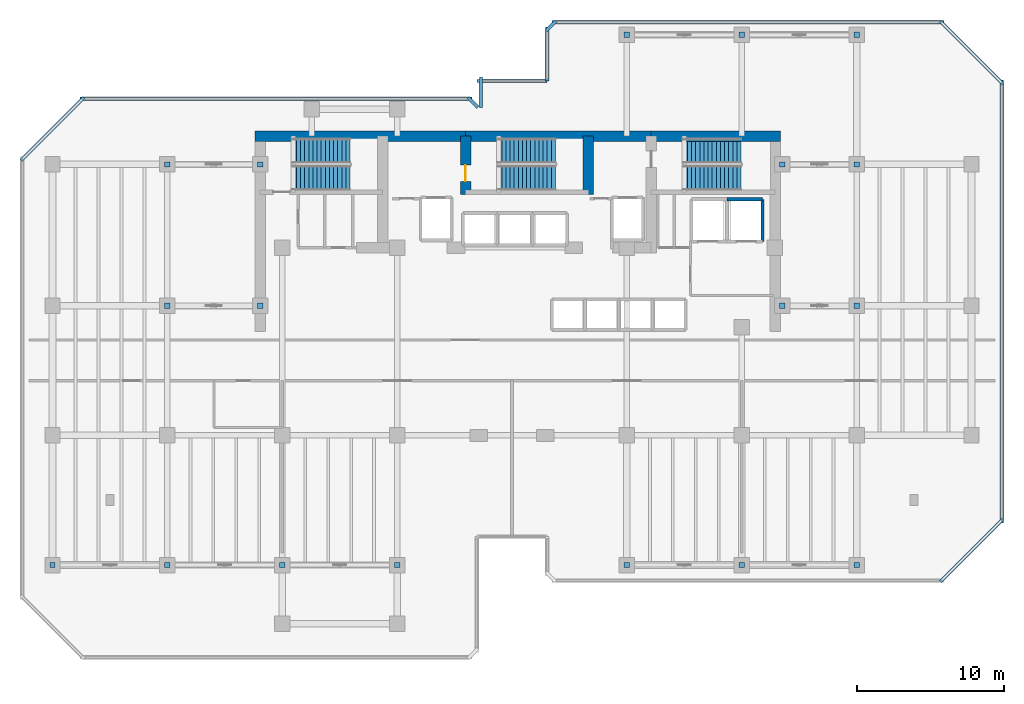
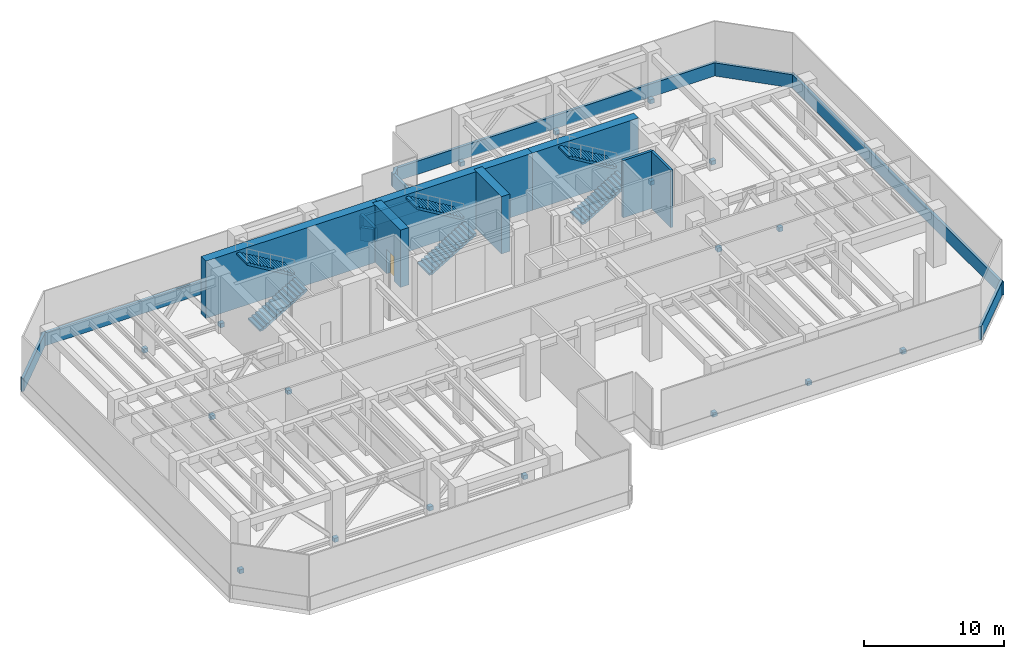
# One storey, part 6 of 10: 18 discrete accessories, 18 walls, 6 stair flights, 1 door, 1 opening, 3 elements without a shape of their own.
"""IFC4 building model written with IfcOpenShell, lengths in metres."""

from ifc_helpers import new_model, si_unit, direction, frame, frame_2d, origin, origin_2d, place, context, subcontext, project, spatial, polyline, rectangle, outline, extrude, material, layer, layer_set, type_object, element, fill, aggregate, save


model = new_model("IFC4")

# Units and contexts
model_context = context("Model", 3, precision=1e-05, world=origin(), true_north=direction((0.0, 1.0)))
body_context = subcontext(model_context, "Body", "Model", "MODEL_VIEW")
ifc_project = project(units=[si_unit("LENGTHUNIT", "METRE"), si_unit("AREAUNIT", "SQUARE_METRE"), si_unit("VOLUMEUNIT", "CUBIC_METRE"), si_unit("PLANEANGLEUNIT", "RADIAN"), si_unit("MASSUNIT", "GRAM", prefix="KILO")], contexts=[model_context])

# Site, building, storey
site_placement = place(None, origin())
site = spatial("IfcSite", under=ifc_project, at=site_placement, CompositionType="ELEMENT")
building_placement = place(site_placement, origin())
building = spatial("IfcBuilding", under=site, at=building_placement, Name="Kestravale Grand Hotel", CompositionType="ELEMENT")
storey_placement = place(building_placement, frame((0.0, 0.0, 184.0)))
storey = spatial("IfcBuildingStorey", under=building, at=storey_placement, Name="L46", CompositionType="ELEMENT", Elevation=184.0)

# Walls
ifc_material_1 = material(Name="Concrete f'c 60 MPa", Category="concrete")
ifc_layer_1 = layer(ifc_material_1, 0.699951171875)
ifc_layer_set_1 = layer_set([ifc_layer_1], Name="EW-CORE-700")
wall_type_1 = type_object("IfcWallType", Name="EW-CORE-700", PredefinedType="SHEAR", material=ifc_layer_set_1)
wall_1_placement = place(storey_placement, frame((21.550048828125, 40.320068359375, 0.0), z_axis=(0.0, 0.0, 1.0), x_axis=(1.0, 0.0, 0.0)))
element("IfcWall", 1, at=wall_1_placement, inside=storey, type_object=wall_type_1, Name="L46 core shear wall N1", PredefinedType="SHEAR", context=body_context, shape_type="SweptSolid", body=[
    extrude(rectangle(XDim=14.300048828125, YDim=0.699951171875, at=frame_2d((7.14990234375, 0.0))), origin(), (0.0, 0.0, 1.0), 5.0),
])
wall_2_placement = place(storey_placement, frame((35.85009765625, 40.320068359375, 0.0), z_axis=(0.0, 0.0, 1.0), x_axis=(1.0, 0.0, 0.0)))
element("IfcWall", 2, at=wall_2_placement, inside=storey, type_object=wall_type_1, Name="L46 core shear wall N2", PredefinedType="SHEAR", context=body_context, shape_type="SweptSolid", body=[
    extrude(rectangle(XDim=12.599853515625, YDim=0.699951171875, at=frame_2d((6.2998046875, 0.0))), origin(), (0.0, 0.0, 1.0), 5.0),
])
wall_3_placement = place(storey_placement, frame((48.449951171875, 40.320068359375, 0.0), z_axis=(0.0, 0.0, 1.0), x_axis=(1.0, 0.0, 0.0)))
element("IfcWall", 3, at=wall_3_placement, inside=storey, type_object=wall_type_1, Name="L46 core shear wall N3", PredefinedType="SHEAR", context=body_context, shape_type="SweptSolid", body=[
    extrude(rectangle(XDim=8.77001953125, YDim=0.699951171875, at=frame_2d((4.385009765625, 0.0))), origin(), (0.0, 0.0, 1.0), 5.0),
])

# Wall, opening, door
wall_4_placement = place(storey_placement, frame((35.85009765625, 36.3701171875, 0.0), z_axis=(0.0, 0.0, 1.0), x_axis=(0.0, 1.0, 0.0)))
wall_4 = element("IfcWall", 4, at=wall_4_placement, inside=storey, type_object=wall_type_1, Name="L46 core shear wall X2", PredefinedType="SHEAR", context=body_context, shape_type="SweptSolid", body=[
    extrude(rectangle(XDim=3.949951171875, YDim=0.699951171875, at=frame_2d((1.97509765625, 0.0))), origin(), (0.0, 0.0, 1.0), 5.0),
])
opening_placement = place(wall_4_placement, frame((0.8798828125, 0.0, 0.0)))
opening = element("IfcOpeningElement", 5, at=opening_placement, cuts=wall_4, Name="Opening D-ST-1100", PredefinedType="OPENING", context=body_context, shape_type="SweptSolid", body=[
    extrude(rectangle(XDim=1.10009765625, YDim=2.14990234375, at=frame_2d((0.550048828125, 1.074951171875))), frame((0.0, 0.35986328125, 0.0), z_axis=(0.0, -1.0, 0.0), x_axis=(1.0, 0.0, 0.0)), (0.0, 0.0, 1.0), 0.719970703125),
])
ifc_material_2 = material(Name="Galvanised 90-minute fire-rated steel stair door", Category="steel")
door_type = type_object("IfcDoorType", Name="D-ST-1100", OperationType="NOTDEFINED", PredefinedType="DOOR", material=ifc_material_2)
door_placement = place(opening_placement, origin())
door = element("IfcDoor", 6, at=door_placement, inside=storey, type_object=door_type, Name="L46 Stair ST-2 FSAE fire door", OperationType="SINGLE_SWING_RIGHT", OverallHeight=2.14990234375, OverallWidth=1.10009765625, PredefinedType="DOOR", context=body_context, shape_type="SweptSolid", body=[
    extrude(rectangle(XDim=1.10009765625, YDim=2.14990234375, at=frame_2d((0.550048828125, 1.074951171875))), frame((0.0, 0.02490234375, 0.0), z_axis=(0.0, -1.0, 0.0), x_axis=(1.0, 0.0, 0.0)), (0.0, 0.0, 1.0), 0.050048828125),
])
fill(opening, door)

# Walls
wall_5_placement = place(storey_placement, frame((44.179931640625, 36.3701171875, 0.0), z_axis=(0.0, 0.0, 1.0), x_axis=(0.0, 1.0, 0.0)))
element("IfcWall", 7, at=wall_5_placement, inside=storey, type_object=wall_type_1, Name="L46 core shear wall X3", PredefinedType="SHEAR", context=body_context, shape_type="SweptSolid", body=[
    extrude(rectangle(XDim=3.949951171875, YDim=0.699951171875, at=frame_2d((1.97509765625, 0.0))), origin(), (0.0, 0.0, 1.0), 5.0),
])
ifc_material_3 = material(Name="Precast concrete f'c 45 MPa", Category="concrete")
ifc_layer_2 = layer(ifc_material_3, 0.219970703125)
ifc_layer_set_2 = layer_set([ifc_layer_2], Name="EW-PAR-220")
wall_type_2 = type_object("IfcWallType", Name="EW-PAR-220", PredefinedType="PARAPET", material=ifc_layer_set_2)
wall_6_placement = place(storey_placement, frame((68.07275390625, 10.07080078125, 0.0), z_axis=(0.0, 0.0, 1.0), x_axis=(0.707106781187, 0.707106781187, 0.0)))
element("IfcWall", 8, at=wall_6_placement, inside=storey, type_object=wall_type_2, Name="L46 refuge band parapet wall 8", PredefinedType="PARAPET", context=body_context, shape_type="SweptSolid", body=[
    extrude(rectangle(XDim=6.019775390625, YDim=0.219970703125, at=frame_2d((3.009765625, 0.0))), origin(), (0.0, 0.0, 1.0), 1.14990234375),
])
wall_7_placement = place(storey_placement, frame((72.260009765625, 14.06005859375, 0.0), z_axis=(0.0, 0.0, 1.0), x_axis=(0.0, 1.0, 0.0)))
element("IfcWall", 9, at=wall_7_placement, inside=storey, type_object=wall_type_2, Name="L46 refuge band parapet wall 9", PredefinedType="PARAPET", context=body_context, shape_type="SweptSolid", body=[
    extrude(rectangle(XDim=30.079833984375, YDim=0.219970703125, at=frame_2d((15.0400390625, 0.0))), origin(), (0.0, 0.0, 1.0), 1.14990234375),
])
wall_8_placement = place(storey_placement, frame((72.329345703125, 43.872802734375, 0.0), z_axis=(0.0, 0.0, 1.0), x_axis=(-0.707106781187, 0.707106781187, 0.0)))
element("IfcWall", 10, at=wall_8_placement, inside=storey, type_object=wall_type_2, Name="L46 refuge band parapet wall 10", PredefinedType="PARAPET", context=body_context, shape_type="SweptSolid", body=[
    extrude(rectangle(XDim=6.019775390625, YDim=0.219970703125, at=frame_2d((3.009765625, 0.0))), origin(), (0.0, 0.0, 1.0), 1.14990234375),
])
wall_9_placement = place(storey_placement, frame((68.340087890625, 48.06005859375, 0.0), z_axis=(0.0, 0.0, 1.0), x_axis=(-1.0, 0.0, 0.0)))
element("IfcWall", 11, at=wall_9_placement, inside=storey, type_object=wall_type_2, Name="L46 refuge band parapet wall 11", PredefinedType="PARAPET", context=body_context, shape_type="SweptSolid", body=[
    extrude(rectangle(XDim=26.630126953125, YDim=0.219970703125, at=frame_2d((13.31494140625, 0.0))), origin(), (0.0, 0.0, 1.0), 1.14990234375),
])
wall_10_placement = place(storey_placement, frame((41.977294921875, 48.12939453125, 0.0), z_axis=(0.0, 0.0, 1.0), x_axis=(-0.706975312048, -0.707238225886, 0.0)))
element("IfcWall", 12, at=wall_10_placement, inside=storey, type_object=wall_type_2, Name="L46 refuge band parapet wall 12", PredefinedType="PARAPET", context=body_context, shape_type="SweptSolid", body=[
    extrude(rectangle(XDim=0.9287109375, YDim=0.219970703125, at=frame_2d((0.46435546875, 0.0))), origin(), (0.0, 0.0, 1.0), 1.14990234375),
])
wall_11_placement = place(storey_placement, frame((41.389892578125, 47.739990234375, 0.0), z_axis=(0.0, 0.0, 1.0), x_axis=(0.0, -1.0, 0.0)))
element("IfcWall", 13, at=wall_11_placement, inside=storey, type_object=wall_type_2, Name="L46 refuge band parapet wall 13", PredefinedType="PARAPET", context=body_context, shape_type="SweptSolid", body=[
    extrude(rectangle(XDim=3.679931640625, YDim=0.219970703125, at=frame_2d((1.83984375, 0.0))), origin(), (0.0, 0.0, 1.0), 1.14990234375),
])
wall_12_placement = place(storey_placement, frame((41.389892578125, 44.06005859375, 0.0), z_axis=(0.0, 0.0, 1.0), x_axis=(-1.0, 0.0, 0.0)))
element("IfcWall", 14, at=wall_12_placement, inside=storey, type_object=wall_type_2, Name="L46 refuge band parapet wall 14", PredefinedType="PARAPET", context=body_context, shape_type="SweptSolid", body=[
    extrude(rectangle(XDim=4.77978515625, YDim=0.219970703125, at=frame_2d((2.389892578125, 0.0))), origin(), (0.0, 0.0, 1.0), 1.14990234375),
])
wall_13_placement = place(storey_placement, frame((36.889892578125, 44.340087890625, 0.0), z_axis=(0.0, 0.0, 1.0), x_axis=(0.0, -1.0, 0.0)))
element("IfcWall", 15, at=wall_13_placement, inside=storey, type_object=wall_type_2, Name="L46 refuge band parapet wall 15", PredefinedType="PARAPET", context=body_context, shape_type="SweptSolid", body=[
    extrude(rectangle(XDim=2.080078125, YDim=0.219970703125, at=frame_2d((1.0400390625, 0.0))), origin(), (0.0, 0.0, 1.0), 1.14990234375),
])
wall_14_placement = place(storey_placement, frame((36.67919921875, 42.272705078125, 0.0), z_axis=(0.0, 0.0, 1.0), x_axis=(-0.707106781187, 0.707106781187, 0.0)))
element("IfcWall", 16, at=wall_14_placement, inside=storey, type_object=wall_type_2, Name="L46 refuge band parapet wall 16", PredefinedType="PARAPET", context=body_context, shape_type="SweptSolid", body=[
    extrude(rectangle(XDim=0.928466796875, YDim=0.219970703125, at=frame_2d((0.46435546875, 0.0))), origin(), (0.0, 0.0, 1.0), 1.14990234375),
])
wall_15_placement = place(storey_placement, frame((36.2900390625, 42.860107421875, 0.0), z_axis=(0.0, 0.0, 1.0), x_axis=(-1.0, 0.0, 0.0)))
element("IfcWall", 17, at=wall_15_placement, inside=storey, type_object=wall_type_2, Name="L46 refuge band parapet wall 17", PredefinedType="PARAPET", context=body_context, shape_type="SweptSolid", body=[
    extrude(rectangle(XDim=26.630126953125, YDim=0.219970703125, at=frame_2d((13.31494140625, 0.0))), origin(), (0.0, 0.0, 1.0), 1.14990234375),
])
wall_16_placement = place(storey_placement, frame((9.92724609375, 42.92919921875, 0.0), z_axis=(0.0, 0.0, 1.0), x_axis=(-0.707106781187, -0.707106781187, 0.0)))
element("IfcWall", 18, at=wall_16_placement, inside=storey, type_object=wall_type_2, Name="L46 refuge band parapet wall 18", PredefinedType="PARAPET", context=body_context, shape_type="SweptSolid", body=[
    extrude(rectangle(XDim=6.019775390625, YDim=0.219970703125, at=frame_2d((3.009765625, 0.0))), origin(), (0.0, 0.0, 1.0), 1.14990234375),
])
ifc_material_4 = material(Name="Concrete f'c 45 MPa", Category="concrete")
ifc_layer_3 = layer(ifc_material_4, 0.199951171875)
ifc_layer_set_3 = layer_set([ifc_layer_3], Name="IW-SHAFT-200")
wall_type_3 = type_object("IfcWallType", Name="IW-SHAFT-200", PredefinedType="SHEAR", material=ifc_layer_set_3)
wall_17_placement = place(storey_placement, frame((56.02001953125, 33.169921875, 0.0), z_axis=(0.0, 0.0, 1.0), x_axis=(0.0, 1.0, 0.0)))
element("IfcWall", 19, at=wall_17_placement, inside=storey, type_object=wall_type_3, Name="L46 SL-2 east shaft wall", PredefinedType="SHEAR", context=body_context, shape_type="SweptSolid", body=[
    extrude(rectangle(XDim=2.860107421875, YDim=0.199951171875, at=frame_2d((1.43017578125, 0.0))), origin(), (0.0, 0.0, 1.0), 5.0),
])
ifc_material_5 = material(Name="Concrete f'c 45 MPa", Category="concrete")
ifc_layer_4 = layer(ifc_material_5, 0.219970703125)
ifc_layer_set_4 = layer_set([ifc_layer_4], Name="IW-SHAFT-220")
wall_type_4 = type_object("IfcWallType", Name="IW-SHAFT-220", PredefinedType="SHEAR", material=ifc_layer_set_4)
wall_18_placement = place(storey_placement, frame((53.60009765625, 36.030029296875, 0.0), z_axis=(0.0, 0.0, 1.0), x_axis=(1.0, 0.0, 0.0)))
element("IfcWall", 20, at=wall_18_placement, inside=storey, type_object=wall_type_4, Name="L46 SL-2 north shaft wall", PredefinedType="SHEAR", context=body_context, shape_type="SweptSolid", body=[
    extrude(rectangle(XDim=2.419921875, YDim=0.219970703125, at=frame_2d((1.2099609375, 0.0))), origin(), (0.0, 0.0, 1.0), 5.0),
])

# Stair, stair flights
ifc_material_6 = material(Name="Concrete f'c 45 MPa", Category="concrete")
stair_type = type_object("IfcStairType", Name="ST-CORE-500", PredefinedType="HALF_TURN_STAIR", material=ifc_material_6)
stair_1_placement = place(storey_placement, origin())
stair_1 = element("IfcStair", 21, at=stair_1_placement, inside=storey, type_object=stair_type, Name="L46 ST-1", PredefinedType="HALF_TURN_STAIR")
ifc_material_7 = material(Name="Concrete f'c 45 MPa", Category="concrete")
stair_flight_type = type_object("IfcStairFlightType", Name="STF-CORE-500", PredefinedType="STRAIGHT", material=ifc_material_7)
stair_flight_1_placement = place(storey_placement, frame((24.080078125, 37.489990234375, 0.0), z_axis=(0.0, 0.0, 1.0), x_axis=(1.0, 0.0, 0.0)))
stair_flight_1 = element("IfcStairFlight", 22, at=stair_flight_1_placement, type_object=stair_flight_type, Name="ST-1 flight 1", NumberOfRisers=15, NumberOfTreads=14, PredefinedType="STRAIGHT", RiserHeight=0.166666667, TreadLength=0.28, context=body_context, shape_type="SweptSolid", body=[
    extrude(outline(polyline([(0.0, 0.0), (0.0, 0.166748046875), (0.280029296875, 0.166748046875), (0.280029296875, 0.333251953125), (0.56005859375, 0.333251953125), (0.56005859375, 0.5), (0.840087890625, 0.5), (0.840087890625, 0.666748046875), (1.1201171875, 0.666748046875), (1.1201171875, 0.833251953125), (1.39990234375, 0.833251953125), (1.39990234375, 1.0), (1.679931640625, 1.0), (1.679931640625, 1.166748046875), (1.9599609375, 1.166748046875), (1.9599609375, 1.333251953125), (2.239990234375, 1.333251953125), (2.239990234375, 1.5), (2.52001953125, 1.5), (2.52001953125, 1.666748046875), (2.800048828125, 1.666748046875), (2.800048828125, 1.833251953125), (3.080078125, 1.833251953125), (3.080078125, 2.0), (3.360107421875, 2.0), (3.360107421875, 2.166748046875), (3.639892578125, 2.166748046875), (3.639892578125, 2.333251953125), (3.919921875, 2.333251953125), (3.919921875, 2.5), (3.919921875, 2.158935546875), (0.29296875, 0.0), (0.0, 0.0)])), frame((0.0, 0.83984375, 0.0), z_axis=(0.0, -1.0, 0.0), x_axis=(1.0, 0.0, 0.0)), (0.0, 0.0, 1.0), 1.679931640625),
])
stair_flight_2_placement = place(storey_placement, frame((28.0, 39.320068359375, 2.5), z_axis=(0.0, 0.0, 1.0), x_axis=(-1.0, 0.0, 0.0)))
stair_flight_2 = element("IfcStairFlight", 23, at=stair_flight_2_placement, type_object=stair_flight_type, Name="ST-1 flight 2", NumberOfRisers=15, NumberOfTreads=14, PredefinedType="STRAIGHT", RiserHeight=0.166666667, TreadLength=0.28, context=body_context, shape_type="SweptSolid", body=[
    extrude(outline(polyline([(0.0, 0.0), (0.0, 0.166748046875), (0.280029296875, 0.166748046875), (0.280029296875, 0.333251953125), (0.56005859375, 0.333251953125), (0.56005859375, 0.5), (0.840087890625, 0.5), (0.840087890625, 0.666748046875), (1.1201171875, 0.666748046875), (1.1201171875, 0.833251953125), (1.39990234375, 0.833251953125), (1.39990234375, 1.0), (1.679931640625, 1.0), (1.679931640625, 1.166748046875), (1.9599609375, 1.166748046875), (1.9599609375, 1.333251953125), (2.239990234375, 1.333251953125), (2.239990234375, 1.5), (2.52001953125, 1.5), (2.52001953125, 1.666748046875), (2.800048828125, 1.666748046875), (2.800048828125, 1.833251953125), (3.080078125, 1.833251953125), (3.080078125, 2.0), (3.360107421875, 2.0), (3.360107421875, 2.166748046875), (3.639892578125, 2.166748046875), (3.639892578125, 2.333251953125), (3.919921875, 2.333251953125), (3.919921875, 2.5), (3.919921875, 2.158935546875), (0.29296875, 0.0), (0.0, 0.0)])), frame((0.0, 0.83984375, 0.0), z_axis=(0.0, -1.0, 0.0), x_axis=(1.0, 0.0, 0.0)), (0.0, 0.0, 1.0), 1.679931640625),
])
aggregate(stair_1, [stair_flight_1, stair_flight_2])

stair_2_placement = place(storey_placement, origin())
stair_2 = element("IfcStair", 24, at=stair_2_placement, inside=storey, type_object=stair_type, Name="L46 ST-2", PredefinedType="HALF_TURN_STAIR")
stair_flight_3_placement = place(storey_placement, frame((38.030029296875, 37.489990234375, 0.0), z_axis=(0.0, 0.0, 1.0), x_axis=(1.0, 0.0, 0.0)))
stair_flight_3 = element("IfcStairFlight", 25, at=stair_flight_3_placement, type_object=stair_flight_type, Name="ST-2 flight 1", NumberOfRisers=15, NumberOfTreads=14, PredefinedType="STRAIGHT", RiserHeight=0.166666667, TreadLength=0.28, context=body_context, shape_type="SweptSolid", body=[
    extrude(outline(polyline([(0.0, 0.0), (0.0, 0.166748046875), (0.280029296875, 0.166748046875), (0.280029296875, 0.333251953125), (0.56005859375, 0.333251953125), (0.56005859375, 0.5), (0.840087890625, 0.5), (0.840087890625, 0.666748046875), (1.1201171875, 0.666748046875), (1.1201171875, 0.833251953125), (1.39990234375, 0.833251953125), (1.39990234375, 1.0), (1.679931640625, 1.0), (1.679931640625, 1.166748046875), (1.9599609375, 1.166748046875), (1.9599609375, 1.333251953125), (2.239990234375, 1.333251953125), (2.239990234375, 1.5), (2.52001953125, 1.5), (2.52001953125, 1.666748046875), (2.800048828125, 1.666748046875), (2.800048828125, 1.833251953125), (3.080078125, 1.833251953125), (3.080078125, 2.0), (3.360107421875, 2.0), (3.360107421875, 2.166748046875), (3.639892578125, 2.166748046875), (3.639892578125, 2.333251953125), (3.919921875, 2.333251953125), (3.919921875, 2.5), (3.919921875, 2.158935546875), (0.29296875, 0.0), (0.0, 0.0)])), frame((0.0, 0.83984375, 0.0), z_axis=(0.0, -1.0, 0.0), x_axis=(1.0, 0.0, 0.0)), (0.0, 0.0, 1.0), 1.679931640625),
])
stair_flight_4_placement = place(storey_placement, frame((41.949951171875, 39.320068359375, 2.5), z_axis=(0.0, 0.0, 1.0), x_axis=(-1.0, 0.0, 0.0)))
stair_flight_4 = element("IfcStairFlight", 26, at=stair_flight_4_placement, type_object=stair_flight_type, Name="ST-2 flight 2", NumberOfRisers=15, NumberOfTreads=14, PredefinedType="STRAIGHT", RiserHeight=0.166666667, TreadLength=0.28, context=body_context, shape_type="SweptSolid", body=[
    extrude(outline(polyline([(0.0, 0.0), (0.0, 0.166748046875), (0.280029296875, 0.166748046875), (0.280029296875, 0.333251953125), (0.56005859375, 0.333251953125), (0.56005859375, 0.5), (0.840087890625, 0.5), (0.840087890625, 0.666748046875), (1.1201171875, 0.666748046875), (1.1201171875, 0.833251953125), (1.39990234375, 0.833251953125), (1.39990234375, 1.0), (1.679931640625, 1.0), (1.679931640625, 1.166748046875), (1.9599609375, 1.166748046875), (1.9599609375, 1.333251953125), (2.239990234375, 1.333251953125), (2.239990234375, 1.5), (2.52001953125, 1.5), (2.52001953125, 1.666748046875), (2.800048828125, 1.666748046875), (2.800048828125, 1.833251953125), (3.080078125, 1.833251953125), (3.080078125, 2.0), (3.360107421875, 2.0), (3.360107421875, 2.166748046875), (3.639892578125, 2.166748046875), (3.639892578125, 2.333251953125), (3.919921875, 2.333251953125), (3.919921875, 2.5), (3.919921875, 2.158935546875), (0.29296875, 0.0), (0.0, 0.0)])), frame((0.0, 0.83984375, 0.0), z_axis=(0.0, -1.0, 0.0), x_axis=(1.0, 0.0, 0.0)), (0.0, 0.0, 1.0), 1.679931640625),
])
aggregate(stair_2, [stair_flight_3, stair_flight_4])

stair_3_placement = place(storey_placement, origin())
stair_3 = element("IfcStair", 27, at=stair_3_placement, inside=storey, type_object=stair_type, Name="L46 ST-3", PredefinedType="HALF_TURN_STAIR")
stair_flight_5_placement = place(storey_placement, frame((50.6298828125, 37.489990234375, 0.0), z_axis=(0.0, 0.0, 1.0), x_axis=(1.0, 0.0, 0.0)))
stair_flight_5 = element("IfcStairFlight", 28, at=stair_flight_5_placement, type_object=stair_flight_type, Name="ST-3 flight 1", NumberOfRisers=15, NumberOfTreads=14, PredefinedType="STRAIGHT", RiserHeight=0.166666667, TreadLength=0.28, context=body_context, shape_type="SweptSolid", body=[
    extrude(outline(polyline([(0.0, 0.0), (0.0, 0.166748046875), (0.280029296875, 0.166748046875), (0.280029296875, 0.333251953125), (0.56005859375, 0.333251953125), (0.56005859375, 0.5), (0.840087890625, 0.5), (0.840087890625, 0.666748046875), (1.1201171875, 0.666748046875), (1.1201171875, 0.833251953125), (1.39990234375, 0.833251953125), (1.39990234375, 1.0), (1.679931640625, 1.0), (1.679931640625, 1.166748046875), (1.9599609375, 1.166748046875), (1.9599609375, 1.333251953125), (2.239990234375, 1.333251953125), (2.239990234375, 1.5), (2.52001953125, 1.5), (2.52001953125, 1.666748046875), (2.800048828125, 1.666748046875), (2.800048828125, 1.833251953125), (3.080078125, 1.833251953125), (3.080078125, 2.0), (3.360107421875, 2.0), (3.360107421875, 2.166748046875), (3.639892578125, 2.166748046875), (3.639892578125, 2.333251953125), (3.919921875, 2.333251953125), (3.919921875, 2.5), (3.919921875, 2.158935546875), (0.29296875, 0.0), (0.0, 0.0)])), frame((0.0, 0.83984375, 0.0), z_axis=(0.0, -1.0, 0.0), x_axis=(1.0, 0.0, 0.0)), (0.0, 0.0, 1.0), 1.679931640625),
])
stair_flight_6_placement = place(storey_placement, frame((54.550048828125, 39.320068359375, 2.5), z_axis=(0.0, 0.0, 1.0), x_axis=(-1.0, 0.0, 0.0)))
stair_flight_6 = element("IfcStairFlight", 29, at=stair_flight_6_placement, type_object=stair_flight_type, Name="ST-3 flight 2", NumberOfRisers=15, NumberOfTreads=14, PredefinedType="STRAIGHT", RiserHeight=0.166666667, TreadLength=0.28, context=body_context, shape_type="SweptSolid", body=[
    extrude(outline(polyline([(0.0, 0.0), (0.0, 0.166748046875), (0.280029296875, 0.166748046875), (0.280029296875, 0.333251953125), (0.56005859375, 0.333251953125), (0.56005859375, 0.5), (0.840087890625, 0.5), (0.840087890625, 0.666748046875), (1.1201171875, 0.666748046875), (1.1201171875, 0.833251953125), (1.39990234375, 0.833251953125), (1.39990234375, 1.0), (1.679931640625, 1.0), (1.679931640625, 1.166748046875), (1.9599609375, 1.166748046875), (1.9599609375, 1.333251953125), (2.239990234375, 1.333251953125), (2.239990234375, 1.5), (2.52001953125, 1.5), (2.52001953125, 1.666748046875), (2.800048828125, 1.666748046875), (2.800048828125, 1.833251953125), (3.080078125, 1.833251953125), (3.080078125, 2.0), (3.360107421875, 2.0), (3.360107421875, 2.166748046875), (3.639892578125, 2.166748046875), (3.639892578125, 2.333251953125), (3.919921875, 2.333251953125), (3.919921875, 2.5), (3.919921875, 2.158935546875), (0.29296875, 0.0), (0.0, 0.0)])), frame((0.0, 0.83984375, 0.0), z_axis=(0.0, -1.0, 0.0), x_axis=(1.0, 0.0, 0.0)), (0.0, 0.0, 1.0), 1.679931640625),
])
aggregate(stair_3, [stair_flight_5, stair_flight_6])

# Discrete accessories
ifc_material_8 = material(Name="Steel ASTM A572 Grade 50 hot-dip galvanised bracket", Category="steel")
discrete_accessory_type = type_object("IfcDiscreteAccessoryType", Name="ACC-BRK-STL", PredefinedType="BRACKET", material=ifc_material_8)
for number, where, z_axis, x_axis, name in (
    (30, (15.60009765625, 28.800048828125, 0.169921875), (0.0, 0.0, 1.0), (1.0, 0.0, 0.0), "L46 west outrigger column node E"),
    (31, (21.89990234375, 28.800048828125, 0.169921875), (0.0, 0.0, 1.0), (1.0, 0.0, 0.0), "L46 west outrigger core node E"),
    (32, (57.35009765625, 28.800048828125, 0.169921875), (0.0, 0.0, 1.0), (1.0, 0.0, 0.0), "L46 east outrigger core node E"),
    (33, (62.39990234375, 28.800048828125, 0.169921875), (0.0, 0.0, 1.0), (1.0, 0.0, 0.0), "L46 east outrigger column node E"),
    (34, (15.60009765625, 38.39990234375, 0.169921875), (0.0, 0.0, 1.0), (1.0, 0.0, 0.0), "L46 west outrigger column node F"),
    (35, (21.89990234375, 38.39990234375, 0.169921875), (0.0, 0.0, 1.0), (1.0, 0.0, 0.0), "L46 west outrigger core node F"),
    (36, (57.35009765625, 38.39990234375, 0.169921875), (0.0, 0.0, 1.0), (1.0, 0.0, 0.0), "L46 east outrigger core node F"),
    (37, (62.39990234375, 38.39990234375, 0.169921875), (0.0, 0.0, 1.0), (1.0, 0.0, 0.0), "L46 east outrigger column node F"),
    (38, (7.800048828125, 11.199951171875, 0.169921875), (0.0, 0.0, 1.0), (1.0, 0.0, 0.0), "L46 belt truss node bracket C-2"),
    (39, (15.60009765625, 11.199951171875, 0.169921875), (0.0, 0.0, 1.0), (1.0, 0.0, 0.0), "L46 belt truss node bracket C-3"),
    (40, (23.39990234375, 11.199951171875, 0.169921875), (0.0, 0.0, 1.0), (1.0, 0.0, 0.0), "L46 belt truss node bracket C-4"),
    (41, (31.199951171875, 11.199951171875, 0.169921875), (0.0, 0.0, 1.0), (1.0, 0.0, 0.0), "L46 belt truss node bracket C-5"),
    (42, (46.800048828125, 11.199951171875, 0.169921875), (0.0, 0.0, 1.0), (1.0, 0.0, 0.0), "L46 belt truss node bracket C-8"),
    (43, (54.60009765625, 11.199951171875, 0.169921875), (0.0, 0.0, 1.0), (1.0, 0.0, 0.0), "L46 belt truss node bracket C-9"),
    (44, (62.39990234375, 11.199951171875, 0.169921875), (0.0, 0.0, 1.0), (1.0, 0.0, 0.0), "L46 belt truss node bracket C-10"),
    (45, (46.800048828125, 47.199951171875, 0.169921875), (0.0, 0.0, 1.0), (1.0, 0.0, 0.0), "L46 belt truss node bracket G-8"),
    (46, (54.60009765625, 47.199951171875, 0.169921875), (0.0, 0.0, 1.0), (1.0, 0.0, 0.0), "L46 belt truss node bracket G-9"),
    (47, (62.39990234375, 47.199951171875, 0.169921875), (0.0, 0.0, 1.0), (1.0, 0.0, 0.0), "L46 belt truss node bracket G-10"),
):
    element("IfcDiscreteAccessory", number, at=place(storey_placement, frame(where, z_axis=z_axis, x_axis=x_axis)), inside=storey, type_object=discrete_accessory_type, Name=name, PredefinedType="BRACKET", context=body_context, shape_type="SweptSolid", body=[
        extrude(rectangle(XDim=0.360107421875, YDim=0.360107421875, at=origin_2d()), origin(), (0.0, 0.0, 1.0), 0.360107421875),
    ])

save(model, "model.ifc")
